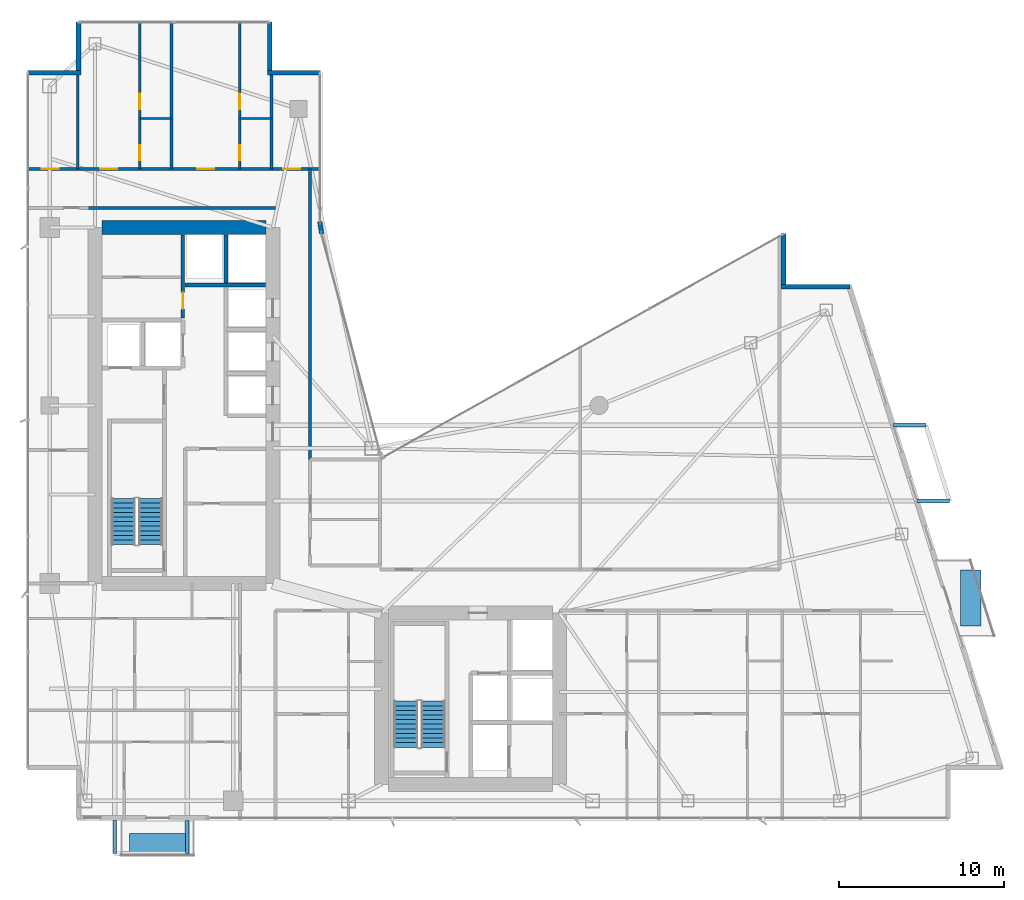
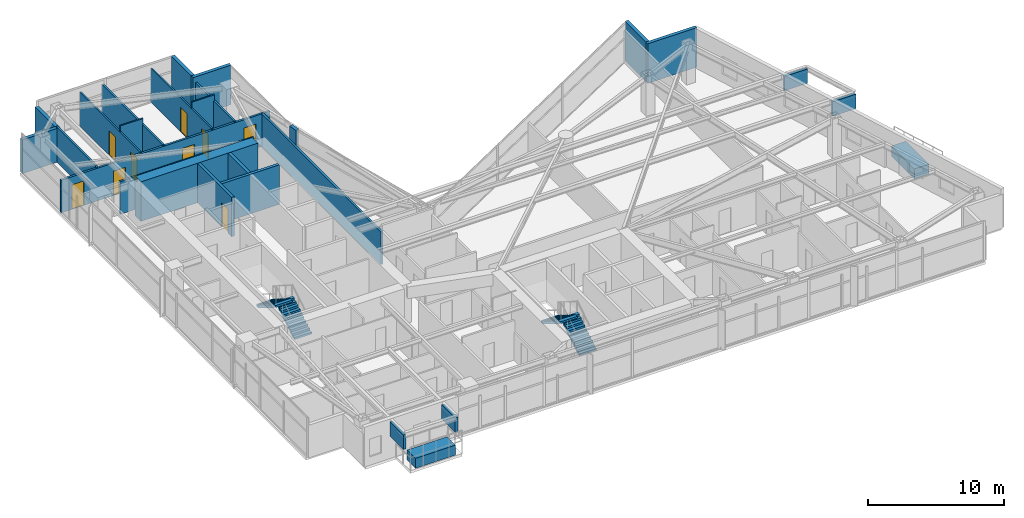
# One storey, part 25 of 28: 21 walls, 9 doors, 6 discrete accessories, 4 stair flights, 9 openings, 2 elements without a shape of their own.
"""IFC4 building model written with IfcOpenShell, lengths in metres."""

from ifc_helpers import new_model, si_unit, direction, frame, frame_2d, origin, origin_2d, place, context, subcontext, project, spatial, polyline, rectangle, outline, extrude, material, layer, layer_set, type_object, element, fill, aggregate, save


model = new_model("IFC4")

# Units and contexts
model_context = context("Model", 3, precision=1e-05, world=origin(), true_north=direction((0.0, 1.0)))
body_context = subcontext(model_context, "Body", "Model", "MODEL_VIEW")
ifc_project = project(units=[si_unit("LENGTHUNIT", "METRE"), si_unit("AREAUNIT", "SQUARE_METRE"), si_unit("VOLUMEUNIT", "CUBIC_METRE"), si_unit("PLANEANGLEUNIT", "RADIAN"), si_unit("MASSUNIT", "GRAM", prefix="KILO")], contexts=[model_context])

# Site, building, storey
site_placement = place(None, origin())
site = spatial("IfcSite", under=ifc_project, at=site_placement, CompositionType="ELEMENT")
building_placement = place(site_placement, origin())
building = spatial("IfcBuilding", under=site, at=building_placement, Name="Calvorn Quay Hotel", CompositionType="ELEMENT")
storey_placement = place(building_placement, frame((0.0, 0.0, 156.10009765625)))
storey = spatial("IfcBuildingStorey", under=building, at=storey_placement, Name="L38", CompositionType="ELEMENT", Elevation=156.10009765625)

# Wall
ifc_material_1 = material(Name="Concrete C50", Category="concrete")
ifc_layer_1 = layer(ifc_material_1, 0.85009765625)
ifc_layer_set_1 = layer_set([ifc_layer_1], Name="WL-CORE-850")
wall_type_1 = type_object("IfcWallType", Name="WL-CORE-850", PredefinedType="SHEAR", material=ifc_layer_set_1)
wall_1_placement = place(storey_placement, frame((4.625, 38.39990234375, 0.0), z_axis=(0.0, 0.0, 1.0), x_axis=(1.0, 0.0, 0.0)))
element("IfcWall", 1, at=wall_1_placement, inside=storey, type_object=wall_type_1, Name="West Core Shear Wall N (L38)", PredefinedType="SHEAR", context=body_context, shape_type="SweptSolid", body=[
    extrude(rectangle(XDim=9.949951171875, YDim=0.85009765625, at=frame_2d((4.97509765625, 0.0))), origin(), (0.0, 0.0, 1.0), 3.559814453125),
])

# Wall, openings, doors
ifc_material_2 = material(Name="Acoustic Fireboard Steel-Stud Partition", Category="steel")
ifc_layer_2 = layer(ifc_material_2, 0.179931640625)
ifc_layer_set_2 = layer_set([ifc_layer_2], Name="WL-CORR-FIRE-180")
wall_type_2 = type_object("IfcWallType", Name="WL-CORR-FIRE-180", PredefinedType="PARTITIONING", material=ifc_layer_set_2)
wall_2_placement = place(storey_placement, frame((0.080078125, 41.949951171875, 0.0), z_axis=(0.0, 0.0, 1.0), x_axis=(1.0, 0.0, 0.0)))
wall_2 = element("IfcWall", 2, at=wall_2_placement, inside=storey, type_object=wall_type_2, Name="Partition Wall L38-WL-CORR-NW-N", PredefinedType="PARTITIONING", context=body_context, shape_type="SweptSolid", body=[
    extrude(rectangle(XDim=17.77001953125, YDim=0.179931640625, at=frame_2d((8.885009765625, 0.0))), origin(), (0.0, 0.0, 1.0), 2.93994140625),
])
opening_1_placement = place(wall_2_placement, frame((0.89990234375, 0.0, 0.0)))
opening_1 = element("IfcOpeningElement", 3, at=opening_1_placement, cuts=wall_2, Name="Opening D-L38-NWW", PredefinedType="OPENING", context=body_context, shape_type="SweptSolid", body=[
    extrude(rectangle(XDim=1.02001953125, YDim=2.199951171875, at=frame_2d((0.510009765625, 1.10009765625))), frame((0.0, 0.099853515625, 0.0), z_axis=(0.0, -1.0, 0.0), x_axis=(1.0, 0.0, 0.0)), (0.0, 0.0, 1.0), 0.199951171875),
])
opening_2_placement = place(wall_2_placement, frame((4.449951171875, 0.0, 0.0)))
opening_2 = element("IfcOpeningElement", 4, at=opening_2_placement, cuts=wall_2, Name="Opening D-L38-U04", PredefinedType="OPENING", context=body_context, shape_type="SweptSolid", body=[
    extrude(rectangle(XDim=1.02001953125, YDim=2.199951171875, at=frame_2d((0.510009765625, 1.10009765625))), frame((0.0, 0.099853515625, 0.0), z_axis=(0.0, -1.0, 0.0), x_axis=(1.0, 0.0, 0.0)), (0.0, 0.0, 1.0), 0.199951171875),
])
opening_3_placement = place(wall_2_placement, frame((10.330078125, 0.0, 0.0)))
opening_3 = element("IfcOpeningElement", 5, at=opening_3_placement, cuts=wall_2, Name="Opening D-L38-U05", PredefinedType="OPENING", context=body_context, shape_type="SweptSolid", body=[
    extrude(rectangle(XDim=1.02001953125, YDim=2.199951171875, at=frame_2d((0.510009765625, 1.10009765625))), frame((0.0, 0.099853515625, 0.0), z_axis=(0.0, -1.0, 0.0), x_axis=(1.0, 0.0, 0.0)), (0.0, 0.0, 1.0), 0.199951171875),
])
opening_4_placement = place(wall_2_placement, frame((15.550048828125, 0.0, 0.0)))
opening_4 = element("IfcOpeningElement", 6, at=opening_4_placement, cuts=wall_2, Name="Opening D-L38-NWE", PredefinedType="OPENING", context=body_context, shape_type="SweptSolid", body=[
    extrude(rectangle(XDim=1.02001953125, YDim=2.199951171875, at=frame_2d((0.510009765625, 1.10009765625))), frame((0.0, 0.099853515625, 0.0), z_axis=(0.0, -1.0, 0.0), x_axis=(1.0, 0.0, 0.0)), (0.0, 0.0, 1.0), 0.199951171875),
])
ifc_material_3 = material(Name="Solid-Core Walnut Veneer Hotel Fire Door")
door_type_1 = type_object("IfcDoorType", Name="DR-GUEST-ENTRY-1020", OperationType="NOTDEFINED", PredefinedType="DOOR", material=ifc_material_3)
door_1_placement = place(opening_1_placement, origin())
door_1 = element("IfcDoor", 7, at=door_1_placement, inside=storey, type_object=door_type_1, Name="West Corner Study Door (L38)", OperationType="SINGLE_SWING_LEFT", OverallHeight=2.199951171875, OverallWidth=1.02001953125, PredefinedType="DOOR", context=body_context, shape_type="SweptSolid", body=[
    extrude(rectangle(XDim=1.02001953125, YDim=2.199951171875, at=frame_2d((0.510009765625, 1.10009765625))), frame((0.0, 0.02490234375, 0.0), z_axis=(0.0, -1.0, 0.0), x_axis=(1.0, 0.0, 0.0)), (0.0, 0.0, 1.0), 0.050048828125),
])
fill(opening_1, door_1)
door_2_placement = place(opening_2_placement, origin())
door_2 = element("IfcDoor", 8, at=door_2_placement, inside=storey, type_object=door_type_1, Name="North-West Unit Door U04 (L38)", OperationType="SINGLE_SWING_RIGHT", OverallHeight=2.199951171875, OverallWidth=1.02001953125, PredefinedType="DOOR", context=body_context, shape_type="SweptSolid", body=[
    extrude(rectangle(XDim=1.02001953125, YDim=2.199951171875, at=frame_2d((0.510009765625, 1.10009765625))), frame((0.0, 0.02490234375, 0.0), z_axis=(0.0, -1.0, 0.0), x_axis=(1.0, 0.0, 0.0)), (0.0, 0.0, 1.0), 0.050048828125),
])
fill(opening_2, door_2)
door_3_placement = place(opening_3_placement, origin())
door_3 = element("IfcDoor", 9, at=door_3_placement, inside=storey, type_object=door_type_1, Name="North-West Unit Door U05 (L38)", OperationType="SINGLE_SWING_LEFT", OverallHeight=2.199951171875, OverallWidth=1.02001953125, PredefinedType="DOOR", context=body_context, shape_type="SweptSolid", body=[
    extrude(rectangle(XDim=1.02001953125, YDim=2.199951171875, at=frame_2d((0.510009765625, 1.10009765625))), frame((0.0, 0.02490234375, 0.0), z_axis=(0.0, -1.0, 0.0), x_axis=(1.0, 0.0, 0.0)), (0.0, 0.0, 1.0), 0.050048828125),
])
fill(opening_3, door_3)
door_4_placement = place(opening_4_placement, origin())
door_4 = element("IfcDoor", 10, at=door_4_placement, inside=storey, type_object=door_type_1, Name="Inner Court Study Door (L38)", OperationType="SINGLE_SWING_RIGHT", OverallHeight=2.199951171875, OverallWidth=1.02001953125, PredefinedType="DOOR", context=body_context, shape_type="SweptSolid", body=[
    extrude(rectangle(XDim=1.02001953125, YDim=2.199951171875, at=frame_2d((0.510009765625, 1.10009765625))), frame((0.0, 0.02490234375, 0.0), z_axis=(0.0, -1.0, 0.0), x_axis=(1.0, 0.0, 0.0)), (0.0, 0.0, 1.0), 0.050048828125),
])
fill(opening_4, door_4)

# Walls
wall_3_placement = place(storey_placement, frame((17.25, 24.300048828125, 0.0), z_axis=(0.0, 0.0, 1.0), x_axis=(0.0, 1.0, 0.0)))
element("IfcWall", 11, at=wall_3_placement, inside=storey, type_object=wall_type_2, Name="Partition Wall L38-WL-NW-CLOSURE-E", PredefinedType="PARTITIONING", context=body_context, shape_type="SweptSolid", body=[
    extrude(rectangle(XDim=17.64990234375, YDim=0.179931640625, at=frame_2d((8.824951171875, 0.0))), origin(), (0.0, 0.0, 1.0), 2.93994140625),
])
wall_4_placement = place(storey_placement, frame((3.7548828125, 39.60009765625, 0.0), z_axis=(0.0, 0.0, 1.0), x_axis=(1.0, 0.0, 0.0)))
element("IfcWall", 12, at=wall_4_placement, inside=storey, type_object=wall_type_2, Name="Partition Wall L38-WL-W-SPUR-S", PredefinedType="PARTITIONING", context=body_context, shape_type="SweptSolid", body=[
    extrude(rectangle(XDim=11.39501953125, YDim=0.179931640625, at=frame_2d((5.697509765625, 0.0))), origin(), (0.0, 0.0, 1.0), 2.93994140625),
])
ifc_material_4 = material(Name="Moisture-Resistant Tile-Backed Partition")
ifc_layer_3 = layer(ifc_material_4, 0.125)
ifc_layer_set_3 = layer_set([ifc_layer_3], Name="WL-ENSUITE-125")
wall_type_3 = type_object("IfcWallType", Name="WL-ENSUITE-125", PredefinedType="PARTITIONING", material=ifc_layer_set_3)
wall_5_placement = place(storey_placement, frame((6.919921875, 45.02001953125, 0.0), z_axis=(0.0, 0.0, 1.0), x_axis=(1.0, 0.0, 0.0)))
element("IfcWall", 13, at=wall_5_placement, inside=storey, type_object=wall_type_3, Name="Partition Wall L38-WL-U04-BDV", PredefinedType="PARTITIONING", context=body_context, shape_type="SweptSolid", body=[
    extrude(rectangle(XDim=1.93017578125, YDim=0.125, at=frame_2d((0.965087890625, 0.0))), origin(), (0.0, 0.0, 1.0), 3.559814453125),
])

# Wall, openings, doors
wall_6_placement = place(storey_placement, frame((6.919921875, 41.949951171875, 0.0), z_axis=(0.0, 0.0, 1.0), x_axis=(0.0, 1.0, 0.0)))
wall_6 = element("IfcWall", 14, at=wall_6_placement, inside=storey, type_object=wall_type_3, Name="Partition Wall L38-WL-U04-BV", PredefinedType="PARTITIONING", context=body_context, shape_type="SweptSolid", body=[
    extrude(rectangle(XDim=8.989990234375, YDim=0.125, at=frame_2d((4.4951171875, 0.0))), origin(), (0.0, 0.0, 1.0), 3.039794921875),
])
opening_5_placement = place(wall_6_placement, frame((0.550048828125, 0.0, 0.0)))
opening_5 = element("IfcOpeningElement", 15, at=opening_5_placement, cuts=wall_6, Name="Opening D-L38-E04", PredefinedType="OPENING", context=body_context, shape_type="SweptSolid", body=[
    extrude(rectangle(XDim=0.89990234375, YDim=2.14990234375, at=frame_2d((0.449951171875, 1.074951171875))), frame((0.0, 0.072509765625, 0.0), z_axis=(0.0, -1.0, 0.0), x_axis=(1.0, 0.0, 0.0)), (0.0, 0.0, 1.0), 0.14501953125),
])
opening_6_placement = place(wall_6_placement, frame((3.6201171875, 0.0, 0.0)))
opening_6 = element("IfcOpeningElement", 16, at=opening_6_placement, cuts=wall_6, Name="Opening D-L38-S04", PredefinedType="OPENING", context=body_context, shape_type="SweptSolid", body=[
    extrude(rectangle(XDim=0.9599609375, YDim=2.199951171875, at=frame_2d((0.47998046875, 1.10009765625))), frame((0.0, 0.072509765625, 0.0), z_axis=(0.0, -1.0, 0.0), x_axis=(1.0, 0.0, 0.0)), (0.0, 0.0, 1.0), 0.14501953125),
])
ifc_material_5 = material(Name="Moisture-Sealed Timber En-Suite Door", Category="wood")
door_type_2 = type_object("IfcDoorType", Name="DR-ENSUITE-900", OperationType="NOTDEFINED", PredefinedType="DOOR", material=ifc_material_5)
door_5_placement = place(opening_5_placement, origin())
door_5 = element("IfcDoor", 17, at=door_5_placement, inside=storey, type_object=door_type_2, Name="En-Suite Door 04", OperationType="SINGLE_SWING_LEFT", OverallHeight=2.14990234375, OverallWidth=0.89990234375, PredefinedType="DOOR", context=body_context, shape_type="SweptSolid", body=[
    extrude(rectangle(XDim=0.89990234375, YDim=2.14990234375, at=frame_2d((0.449951171875, 1.074951171875))), frame((0.0, 0.02490234375, 0.0), z_axis=(0.0, -1.0, 0.0), x_axis=(1.0, 0.0, 0.0)), (0.0, 0.0, 1.0), 0.050048828125),
])
fill(opening_5, door_5)
ifc_material_6 = material(Name="Solid Timber Internal Suite Door", Category="wood")
door_type_3 = type_object("IfcDoorType", Name="DR-SUITE-INT-960", OperationType="NOTDEFINED", PredefinedType="DOOR", material=ifc_material_6)
door_6_placement = place(opening_6_placement, origin())
door_6 = element("IfcDoor", 18, at=door_6_placement, inside=storey, type_object=door_type_3, Name="Spa Therapy Room Door 04", OperationType="SINGLE_SWING_RIGHT", OverallHeight=2.199951171875, OverallWidth=0.9599609375, PredefinedType="DOOR", context=body_context, shape_type="SweptSolid", body=[
    extrude(rectangle(XDim=0.9599609375, YDim=2.199951171875, at=frame_2d((0.47998046875, 1.10009765625))), frame((0.0, 0.02490234375, 0.0), z_axis=(0.0, -1.0, 0.0), x_axis=(1.0, 0.0, 0.0)), (0.0, 0.0, 1.0), 0.050048828125),
])
fill(opening_6, door_6)

# Wall
wall_7_placement = place(storey_placement, frame((12.989990234375, 45.02001953125, 0.0), z_axis=(0.0, 0.0, 1.0), x_axis=(1.0, 0.0, 0.0)))
element("IfcWall", 19, at=wall_7_placement, inside=storey, type_object=wall_type_3, Name="Partition Wall L38-WL-U05-BDV", PredefinedType="PARTITIONING", context=body_context, shape_type="SweptSolid", body=[
    extrude(rectangle(XDim=1.929931640625, YDim=0.125, at=frame_2d((0.96484375, 0.0))), origin(), (0.0, 0.0, 1.0), 3.559814453125),
])

# Wall, openings, doors
wall_8_placement = place(storey_placement, frame((12.989990234375, 41.949951171875, 0.0), z_axis=(0.0, 0.0, 1.0), x_axis=(0.0, 1.0, 0.0)))
wall_8 = element("IfcWall", 20, at=wall_8_placement, inside=storey, type_object=wall_type_3, Name="Partition Wall L38-WL-U05-BV", PredefinedType="PARTITIONING", context=body_context, shape_type="SweptSolid", body=[
    extrude(rectangle(XDim=8.989990234375, YDim=0.125, at=frame_2d((4.4951171875, 0.0))), origin(), (0.0, 0.0, 1.0), 3.039794921875),
])
opening_7_placement = place(wall_8_placement, frame((0.550048828125, 0.0, 0.0)))
opening_7 = element("IfcOpeningElement", 21, at=opening_7_placement, cuts=wall_8, Name="Opening D-L38-E05", PredefinedType="OPENING", context=body_context, shape_type="SweptSolid", body=[
    extrude(rectangle(XDim=0.89990234375, YDim=2.14990234375, at=frame_2d((0.449951171875, 1.074951171875))), frame((0.0, 0.072509765625, 0.0), z_axis=(0.0, -1.0, 0.0), x_axis=(1.0, 0.0, 0.0)), (0.0, 0.0, 1.0), 0.14501953125),
])
opening_8_placement = place(wall_8_placement, frame((3.6201171875, 0.0, 0.0)))
opening_8 = element("IfcOpeningElement", 22, at=opening_8_placement, cuts=wall_8, Name="Opening D-L38-S05", PredefinedType="OPENING", context=body_context, shape_type="SweptSolid", body=[
    extrude(rectangle(XDim=0.9599609375, YDim=2.199951171875, at=frame_2d((0.47998046875, 1.10009765625))), frame((0.0, 0.072509765625, 0.0), z_axis=(0.0, -1.0, 0.0), x_axis=(1.0, 0.0, 0.0)), (0.0, 0.0, 1.0), 0.14501953125),
])
door_7_placement = place(opening_7_placement, origin())
door_7 = element("IfcDoor", 23, at=door_7_placement, inside=storey, type_object=door_type_2, Name="En-Suite Door 05", OperationType="SINGLE_SWING_LEFT", OverallHeight=2.14990234375, OverallWidth=0.89990234375, PredefinedType="DOOR", context=body_context, shape_type="SweptSolid", body=[
    extrude(rectangle(XDim=0.89990234375, YDim=2.14990234375, at=frame_2d((0.449951171875, 1.074951171875))), frame((0.0, 0.02490234375, 0.0), z_axis=(0.0, -1.0, 0.0), x_axis=(1.0, 0.0, 0.0)), (0.0, 0.0, 1.0), 0.050048828125),
])
fill(opening_7, door_7)
door_8_placement = place(opening_8_placement, origin())
door_8 = element("IfcDoor", 24, at=door_8_placement, inside=storey, type_object=door_type_3, Name="Spa Therapy Room Door 05", OperationType="SINGLE_SWING_RIGHT", OverallHeight=2.199951171875, OverallWidth=0.9599609375, PredefinedType="DOOR", context=body_context, shape_type="SweptSolid", body=[
    extrude(rectangle(XDim=0.9599609375, YDim=2.199951171875, at=frame_2d((0.47998046875, 1.10009765625))), frame((0.0, 0.02490234375, 0.0), z_axis=(0.0, -1.0, 0.0), x_axis=(1.0, 0.0, 0.0)), (0.0, 0.0, 1.0), 0.050048828125),
])
fill(opening_8, door_8)

# Walls
ifc_material_7 = material(Name="Concrete C40", Category="concrete")
ifc_layer_4 = layer(ifc_material_7, 0.320068359375)
ifc_layer_set_4 = layer_set([ifc_layer_4], Name="WL-EXT-SPANDREL-320")
wall_type_4 = type_object("IfcWallType", Name="WL-EXT-SPANDREL-320", PredefinedType="SOLIDWALL", material=ifc_layer_set_4)
wall_9_placement = place(storey_placement, frame((17.9619140625, 38.030029296875, 0.0), z_axis=(0.0, 0.0, 1.0), x_axis=(-0.15141125477, 0.988470855377, 0.0)))
element("IfcWall", 25, at=wall_9_placement, inside=storey, type_object=wall_type_4, Name="Inner Court Corner Pier L38-ICJ2", PredefinedType="SOLIDWALL", context=body_context, shape_type="SweptSolid", body=[
    extrude(rectangle(XDim=0.738525390625, YDim=0.280029296875, at=frame_2d((0.369140625, 0.0))), origin(), (0.0, 0.0, 1.0), 3.559814453125),
])
wall_10_placement = place(storey_placement, frame((50.0400390625, 34.800048828125, 0.0), z_axis=(0.0, 0.0, 1.0), x_axis=(-1.0, 0.0, 0.0)))
element("IfcWall", 26, at=wall_10_placement, inside=storey, type_object=wall_type_4, Name="Notched Corner Spandrel L38-NE1", PredefinedType="SOLIDWALL", context=body_context, shape_type="SweptSolid", body=[
    extrude(rectangle(XDim=4.179931640625, YDim=0.280029296875, at=frame_2d((2.08984375, 0.0))), origin(), (0.0, 0.0, 1.0), 3.559814453125),
])
wall_11_placement = place(storey_placement, frame((46.0, 34.93994140625, 0.0), z_axis=(0.0, 0.0, 1.0), x_axis=(0.0, 1.0, 0.0)))
element("IfcWall", 27, at=wall_11_placement, inside=storey, type_object=wall_type_4, Name="Notched Corner Spandrel L38-NE2", PredefinedType="SOLIDWALL", context=body_context, shape_type="SweptSolid", body=[
    extrude(rectangle(XDim=3.10009765625, YDim=0.280029296875, at=frame_2d((1.550048828125, 0.0))), origin(), (0.0, 0.0, 1.0), 3.559814453125),
])
wall_12_placement = place(storey_placement, frame((17.89990234375, 47.800048828125, 0.0), z_axis=(0.0, 0.0, 1.0), x_axis=(-1.0, 0.0, 0.0)))
element("IfcWall", 28, at=wall_12_placement, inside=storey, type_object=wall_type_4, Name="Notched Corner Spandrel L38-NWE1", PredefinedType="SOLIDWALL", context=body_context, shape_type="SweptSolid", body=[
    extrude(rectangle(XDim=3.239990234375, YDim=0.280029296875, at=frame_2d((1.6201171875, 0.0))), origin(), (0.0, 0.0, 1.0), 3.559814453125),
])
wall_13_placement = place(storey_placement, frame((14.800048828125, 47.93994140625, 0.0), z_axis=(0.0, 0.0, 1.0), x_axis=(0.0, 1.0, 0.0)))
element("IfcWall", 29, at=wall_13_placement, inside=storey, type_object=wall_type_4, Name="Notched Corner Spandrel L38-NWE2", PredefinedType="SOLIDWALL", context=body_context, shape_type="SweptSolid", body=[
    extrude(rectangle(XDim=2.93994140625, YDim=0.280029296875, at=frame_2d((1.469970703125, 0.0))), origin(), (0.0, 0.0, 1.0), 3.559814453125),
])
wall_14_placement = place(storey_placement, frame((3.199951171875, 50.8798828125, 0.0), z_axis=(0.0, 0.0, 1.0), x_axis=(0.0, -1.0, 0.0)))
element("IfcWall", 30, at=wall_14_placement, inside=storey, type_object=wall_type_4, Name="Notched Corner Spandrel L38-NW1", PredefinedType="SOLIDWALL", context=body_context, shape_type="SweptSolid", body=[
    extrude(rectangle(XDim=2.93994140625, YDim=0.280029296875, at=frame_2d((1.469970703125, 0.0))), origin(), (0.0, 0.0, 1.0), 3.039794921875),
])
wall_15_placement = place(storey_placement, frame((3.340087890625, 47.800048828125, 0.0), z_axis=(0.0, 0.0, 1.0), x_axis=(-1.0, 0.0, 0.0)))
element("IfcWall", 31, at=wall_15_placement, inside=storey, type_object=wall_type_4, Name="Notched Corner Spandrel L38-NW2", PredefinedType="SOLIDWALL", context=body_context, shape_type="SweptSolid", body=[
    extrude(rectangle(XDim=3.219970703125, YDim=0.280029296875, at=frame_2d((1.60986328125, 0.0))), origin(), (0.0, 0.0, 1.0), 3.039794921875),
])
ifc_material_8 = material(Name="Double-Stud Acoustic Gypsum Partition")
ifc_layer_5 = layer(ifc_material_8, 0.159912109375)
ifc_layer_set_5 = layer_set([ifc_layer_5], Name="WL-INTERSUITE-160")
wall_type_5 = type_object("IfcWallType", Name="WL-INTERSUITE-160", PredefinedType="PARTITIONING", material=ifc_layer_set_5)
wall_16_placement = place(storey_placement, frame((3.14990234375, 41.949951171875, 0.0), z_axis=(0.0, 0.0, 1.0), x_axis=(0.0, 1.0, 0.0)))
element("IfcWall", 32, at=wall_16_placement, inside=storey, type_object=wall_type_5, Name="Partition Wall L38-WL-NW-DIV-W0", PredefinedType="PARTITIONING", context=body_context, shape_type="SweptSolid", body=[
    extrude(rectangle(XDim=5.85009765625, YDim=0.159912109375, at=frame_2d((2.925048828125, 0.0))), origin(), (0.0, 0.0, 1.0), 3.139892578125),
])
wall_17_placement = place(storey_placement, frame((14.919921875, 41.949951171875, 0.0), z_axis=(0.0, 0.0, 1.0), x_axis=(0.0, 1.0, 0.0)))
element("IfcWall", 33, at=wall_17_placement, inside=storey, type_object=wall_type_5, Name="Partition Wall L38-WL-NW-DIV-E0", PredefinedType="PARTITIONING", context=body_context, shape_type="SweptSolid", body=[
    extrude(rectangle(XDim=5.85009765625, YDim=0.159912109375, at=frame_2d((2.925048828125, 0.0))), origin(), (0.0, 0.0, 1.0), 3.039794921875),
])
wall_18_placement = place(storey_placement, frame((8.85009765625, 41.949951171875, 0.0), z_axis=(0.0, 0.0, 1.0), x_axis=(0.0, 1.0, 0.0)))
element("IfcWall", 34, at=wall_18_placement, inside=storey, type_object=wall_type_5, Name="Partition Wall L38-WL-NW-DIV-1", PredefinedType="PARTITIONING", context=body_context, shape_type="SweptSolid", body=[
    extrude(rectangle(XDim=8.989990234375, YDim=0.159912109375, at=frame_2d((4.4951171875, 0.0))), origin(), (0.0, 0.0, 1.0), 3.039794921875),
])

# Wall, opening, door
ifc_material_9 = material(Name="Autoclaved Aerated Masonry Block", Category="masonry")
ifc_layer_6 = layer(ifc_material_9, 0.219970703125)
ifc_layer_set_6 = layer_set([ifc_layer_6], Name="WL-LOBBY-FIRE-220")
wall_type_6 = type_object("IfcWallType", Name="WL-LOBBY-FIRE-220", PredefinedType="SOLIDWALL", material=ifc_layer_set_6)
wall_19_placement = place(storey_placement, frame((9.5400390625, 32.919921875, 0.0), z_axis=(0.0, 0.0, 1.0), x_axis=(0.0, 1.0, 0.0)))
wall_19 = element("IfcWall", 35, at=wall_19_placement, inside=storey, type_object=wall_type_6, Name="Partition Wall L38-WL-CWW-K-E", PredefinedType="SOLIDWALL", context=body_context, shape_type="SweptSolid", body=[
    extrude(rectangle(XDim=5.03515625, YDim=0.219970703125, at=frame_2d((2.517578125, 0.0))), origin(), (0.0, 0.0, 1.0), 3.559814453125),
])
opening_9_placement = place(wall_19_placement, frame((0.550048828125, 0.0, 0.0)))
opening_9 = element("IfcOpeningElement", 36, at=opening_9_placement, cuts=wall_19, Name="Opening D-L38-CK1", PredefinedType="OPENING", context=body_context, shape_type="SweptSolid", body=[
    extrude(rectangle(XDim=0.97998046875, YDim=2.14990234375, at=frame_2d((0.489990234375, 1.074951171875))), frame((0.0, 0.119873046875, 0.0), z_axis=(0.0, -1.0, 0.0), x_axis=(1.0, 0.0, 0.0)), (0.0, 0.0, 1.0), 0.239990234375),
])
ifc_material_10 = material(Name="Painted Steel Housekeeping/Riser Fire Door", Category="steel")
door_type_4 = type_object("IfcDoorType", Name="DR-SERVICE-980", OperationType="NOTDEFINED", PredefinedType="DOOR", material=ifc_material_10)
door_9_placement = place(opening_9_placement, origin())
door_9 = element("IfcDoor", 37, at=door_9_placement, inside=storey, type_object=door_type_4, Name="Core Housekeeping Door (L38)", OperationType="SINGLE_SWING_LEFT", OverallHeight=2.14990234375, OverallWidth=0.97998046875, PredefinedType="DOOR", context=body_context, shape_type="SweptSolid", body=[
    extrude(rectangle(XDim=0.97998046875, YDim=2.14990234375, at=frame_2d((0.489990234375, 1.074951171875))), frame((0.0, 0.02490234375, 0.0), z_axis=(0.0, -1.0, 0.0), x_axis=(1.0, 0.0, 0.0)), (0.0, 0.0, 1.0), 0.050048828125),
])
fill(opening_9, door_9)

# Walls
ifc_material_11 = material(Name="Concrete C40", Category="concrete")
ifc_layer_7 = layer(ifc_material_11, 0.239990234375)
ifc_layer_set_7 = layer_set([ifc_layer_7], Name="WL-SHAFT-240")
wall_type_7 = type_object("IfcWallType", Name="WL-SHAFT-240", PredefinedType="SOLIDWALL", material=ifc_layer_set_7)
wall_20_placement = place(storey_placement, frame((9.659912109375, 34.89990234375, 0.0), z_axis=(0.0, 0.0, 1.0), x_axis=(1.0, 0.0, 0.0)))
element("IfcWall", 38, at=wall_20_placement, inside=storey, type_object=wall_type_7, Name="Partition Wall L38-WL-CWW-PLH-S", PredefinedType="SOLIDWALL", context=body_context, shape_type="SweptSolid", body=[
    extrude(rectangle(XDim=4.89501953125, YDim=0.239990234375, at=frame_2d((2.447509765625, 0.0))), origin(), (0.0, 0.0, 1.0), 3.559814453125),
])
wall_21_placement = place(storey_placement, frame((12.14990234375, 35.02001953125, 0.0), z_axis=(0.0, 0.0, 1.0), x_axis=(0.0, 1.0, 0.0)))
element("IfcWall", 39, at=wall_21_placement, inside=storey, type_object=wall_type_7, Name="Partition Wall L38-WL-CWW-PLH-DIV", PredefinedType="SOLIDWALL", context=body_context, shape_type="SweptSolid", body=[
    extrude(rectangle(XDim=2.93505859375, YDim=0.239990234375, at=frame_2d((1.467529296875, 0.0))), origin(), (0.0, 0.0, 1.0), 3.559814453125),
])

# Stair, stair flights
ifc_material_12 = material(Name="Concrete C40", Category="concrete")
stair_type = type_object("IfcStairType", Name="STR-CORE-DOGLEG", PredefinedType="HALF_TURN_STAIR", material=ifc_material_12)
stair_1_placement = place(storey_placement, origin())
stair_1 = element("IfcStair", 40, at=stair_1_placement, inside=storey, type_object=stair_type, Name="L38 ST-W", PredefinedType="HALF_TURN_STAIR")
ifc_material_13 = material(Name="Concrete C40", Category="concrete")
stair_flight_type = type_object("IfcStairFlightType", Name="FLT-CORE-1550", PredefinedType="STRAIGHT", material=ifc_material_13)
stair_flight_1_placement = place(storey_placement, frame((7.574951171875, 19.14990234375, 0.0), z_axis=(0.0, 0.0, 1.0), x_axis=(0.0, 1.0, 0.0)))
stair_flight_1 = element("IfcStairFlight", 41, at=stair_flight_1_placement, type_object=stair_flight_type, Name="ST-W flight 1", NumberOfRisers=11, NumberOfTreads=10, PredefinedType="STRAIGHT", RiserHeight=0.172727273, TreadLength=0.28, context=body_context, shape_type="SweptSolid", body=[
    extrude(outline(polyline([(0.0, 0.0), (0.0, 0.172607421875), (0.280029296875, 0.172607421875), (0.280029296875, 0.345458984375), (0.56005859375, 0.345458984375), (0.56005859375, 0.51806640625), (0.840087890625, 0.51806640625), (0.840087890625, 0.69091796875), (1.1201171875, 0.69091796875), (1.1201171875, 0.863525390625), (1.39990234375, 0.863525390625), (1.39990234375, 1.036376953125), (1.679931640625, 1.036376953125), (1.679931640625, 1.208984375), (1.9599609375, 1.208984375), (1.9599609375, 1.3818359375), (2.239990234375, 1.3818359375), (2.239990234375, 1.554443359375), (2.52001953125, 1.554443359375), (2.52001953125, 1.727294921875), (2.800048828125, 1.727294921875), (2.800048828125, 1.89990234375), (2.800048828125, 1.551025390625), (0.285400390625, 0.0), (0.0, 0.0)])), frame((0.0, 0.72509765625, 0.0), z_axis=(0.0, -1.0, 0.0), x_axis=(1.0, 0.0, 0.0)), (0.0, 0.0, 1.0), 1.449951171875),
])
stair_flight_2_placement = place(storey_placement, frame((5.925048828125, 21.949951171875, 1.89990234375), z_axis=(0.0, 0.0, 1.0), x_axis=(0.0, -1.0, 0.0)))
stair_flight_2 = element("IfcStairFlight", 42, at=stair_flight_2_placement, type_object=stair_flight_type, Name="ST-W flight 2", NumberOfRisers=11, NumberOfTreads=10, PredefinedType="STRAIGHT", RiserHeight=0.172727273, TreadLength=0.28, context=body_context, shape_type="SweptSolid", body=[
    extrude(outline(polyline([(0.0, 0.0), (0.0, 0.172607421875), (0.280029296875, 0.172607421875), (0.280029296875, 0.345458984375), (0.56005859375, 0.345458984375), (0.56005859375, 0.51806640625), (0.840087890625, 0.51806640625), (0.840087890625, 0.69091796875), (1.1201171875, 0.69091796875), (1.1201171875, 0.863525390625), (1.39990234375, 0.863525390625), (1.39990234375, 1.036376953125), (1.679931640625, 1.036376953125), (1.679931640625, 1.208984375), (1.9599609375, 1.208984375), (1.9599609375, 1.3818359375), (2.239990234375, 1.3818359375), (2.239990234375, 1.554443359375), (2.52001953125, 1.554443359375), (2.52001953125, 1.727294921875), (2.800048828125, 1.727294921875), (2.800048828125, 1.89990234375), (2.800048828125, 1.551025390625), (0.285400390625, 0.0), (0.0, 0.0)])), frame((0.0, 0.72509765625, 0.0), z_axis=(0.0, -1.0, 0.0), x_axis=(1.0, 0.0, 0.0)), (0.0, 0.0, 1.0), 1.449951171875),
])
aggregate(stair_1, [stair_flight_1, stair_flight_2])

stair_2_placement = place(storey_placement, origin())
stair_2 = element("IfcStair", 43, at=stair_2_placement, inside=storey, type_object=stair_type, Name="L38 ST-E", PredefinedType="HALF_TURN_STAIR")
stair_flight_3_placement = place(storey_placement, frame((24.72509765625, 6.85009765625, 0.0), z_axis=(0.0, 0.0, 1.0), x_axis=(0.0, 1.0, 0.0)))
stair_flight_3 = element("IfcStairFlight", 44, at=stair_flight_3_placement, type_object=stair_flight_type, Name="ST-E flight 1", NumberOfRisers=11, NumberOfTreads=10, PredefinedType="STRAIGHT", RiserHeight=0.172727273, TreadLength=0.28, context=body_context, shape_type="SweptSolid", body=[
    extrude(outline(polyline([(0.0, 0.0), (0.0, 0.172607421875), (0.280029296875, 0.172607421875), (0.280029296875, 0.345458984375), (0.56005859375, 0.345458984375), (0.56005859375, 0.51806640625), (0.840087890625, 0.51806640625), (0.840087890625, 0.69091796875), (1.1201171875, 0.69091796875), (1.1201171875, 0.863525390625), (1.39990234375, 0.863525390625), (1.39990234375, 1.036376953125), (1.679931640625, 1.036376953125), (1.679931640625, 1.208984375), (1.9599609375, 1.208984375), (1.9599609375, 1.3818359375), (2.239990234375, 1.3818359375), (2.239990234375, 1.554443359375), (2.52001953125, 1.554443359375), (2.52001953125, 1.727294921875), (2.800048828125, 1.727294921875), (2.800048828125, 1.89990234375), (2.800048828125, 1.551025390625), (0.285400390625, 0.0), (0.0, 0.0)])), frame((0.0, 0.72509765625, 0.0), z_axis=(0.0, -1.0, 0.0), x_axis=(1.0, 0.0, 0.0)), (0.0, 0.0, 1.0), 1.449951171875),
])
stair_flight_4_placement = place(storey_placement, frame((23.074951171875, 9.64990234375, 1.89990234375), z_axis=(0.0, 0.0, 1.0), x_axis=(0.0, -1.0, 0.0)))
stair_flight_4 = element("IfcStairFlight", 45, at=stair_flight_4_placement, type_object=stair_flight_type, Name="ST-E flight 2", NumberOfRisers=11, NumberOfTreads=10, PredefinedType="STRAIGHT", RiserHeight=0.172727273, TreadLength=0.28, context=body_context, shape_type="SweptSolid", body=[
    extrude(outline(polyline([(0.0, 0.0), (0.0, 0.172607421875), (0.280029296875, 0.172607421875), (0.280029296875, 0.345458984375), (0.56005859375, 0.345458984375), (0.56005859375, 0.51806640625), (0.840087890625, 0.51806640625), (0.840087890625, 0.69091796875), (1.1201171875, 0.69091796875), (1.1201171875, 0.863525390625), (1.39990234375, 0.863525390625), (1.39990234375, 1.036376953125), (1.679931640625, 1.036376953125), (1.679931640625, 1.208984375), (1.9599609375, 1.208984375), (1.9599609375, 1.3818359375), (2.239990234375, 1.3818359375), (2.239990234375, 1.554443359375), (2.52001953125, 1.554443359375), (2.52001953125, 1.727294921875), (2.800048828125, 1.727294921875), (2.800048828125, 1.89990234375), (2.800048828125, 1.551025390625), (0.285400390625, 0.0), (0.0, 0.0)])), frame((0.0, 0.72509765625, 0.0), z_axis=(0.0, -1.0, 0.0), x_axis=(1.0, 0.0, 0.0)), (0.0, 0.0, 1.0), 1.449951171875),
])
aggregate(stair_2, [stair_flight_3, stair_flight_4])

# Discrete accessories
ifc_material_14 = material(Name="Steel Q355B", Category="steel")
discrete_accessory_type_1 = type_object("IfcDiscreteAccessoryType", Name="ACC-BALC-STRUT", PredefinedType="BRACKET", material=ifc_material_14)
for number, where, z_axis, x_axis, name in (
    (46, (55.091064453125, 21.800048828125, 2.0146484375), (0.0, 0.0, 1.0), (1.0, 0.0, 0.0), "Exterior Balcony Steel Bracket L39-BALC-E-A"),
    (47, (53.64208984375, 26.39990234375, 2.0146484375), (0.0, 0.0, 1.0), (1.0, 0.0, 0.0), "Exterior Balcony Steel Bracket L39-BALC-E-B"),
):
    element("IfcDiscreteAccessory", number, at=place(storey_placement, frame(where, z_axis=z_axis, x_axis=x_axis)), inside=storey, type_object=discrete_accessory_type_1, Name=name, PredefinedType="BRACKET", context=body_context, shape_type="SweptSolid", body=[
        extrude(rectangle(XDim=1.989990234375, YDim=0.219970703125, at=origin_2d()), origin(), (0.0, 0.0, 1.0), 1.300048828125),
    ])
for number, where, z_axis, x_axis, name in (
    (48, (5.39990234375, 1.405029296875, 2.0146484375), (0.0, 0.0, 1.0), (1.0, 0.0, 0.0), "Exterior Balcony Steel Bracket L39-BALC-S-A"),
    (49, (9.800048828125, 1.405029296875, 2.0146484375), (0.0, 0.0, 1.0), (1.0, 0.0, 0.0), "Exterior Balcony Steel Bracket L39-BALC-S-B"),
):
    element("IfcDiscreteAccessory", number, at=place(storey_placement, frame(where, z_axis=z_axis, x_axis=x_axis)), inside=storey, type_object=discrete_accessory_type_1, Name=name, PredefinedType="BRACKET", context=body_context, shape_type="SweptSolid", body=[
        extrude(rectangle(XDim=0.219970703125, YDim=1.989990234375, at=origin_2d()), origin(), (0.0, 0.0, 1.0), 1.300048828125),
    ])
ifc_material_15 = material(Name="Precast concrete C40", Category="concrete")
discrete_accessory_type_2 = type_object("IfcDiscreteAccessoryType", Name="ACC-TREE-PLANTER", PredefinedType="USERDEFINED", material=ifc_material_15)
discrete_accessory_1_placement = place(storey_placement, frame((57.364013671875, 15.89990234375, 0.0), z_axis=(0.0, 0.0, 1.0), x_axis=(1.0, 0.0, 0.0)))
element("IfcDiscreteAccessory", 50, at=discrete_accessory_1_placement, inside=storey, type_object=discrete_accessory_type_2, Name="Subtropical Tree Structural Planter L38-BALC-E", ObjectType="PLANTER", PredefinedType="USERDEFINED", context=body_context, shape_type="SweptSolid", body=[
    extrude(rectangle(XDim=1.25, YDim=3.39990234375, at=origin_2d()), origin(), (0.0, 0.0, 1.0), 0.89990234375),
])
discrete_accessory_2_placement = place(storey_placement, frame((8.0, 0.989990234375, 0.0), z_axis=(0.0, 0.0, 1.0), x_axis=(1.0, 0.0, 0.0)))
element("IfcDiscreteAccessory", 51, at=discrete_accessory_2_placement, inside=storey, type_object=discrete_accessory_type_2, Name="Subtropical Tree Structural Planter L38-BALC-S", ObjectType="PLANTER", PredefinedType="USERDEFINED", context=body_context, shape_type="SweptSolid", body=[
    extrude(rectangle(XDim=3.39990234375, YDim=1.25, at=origin_2d()), origin(), (0.0, 0.0, 1.0), 0.89990234375),
])

save(model, "model.ifc")
